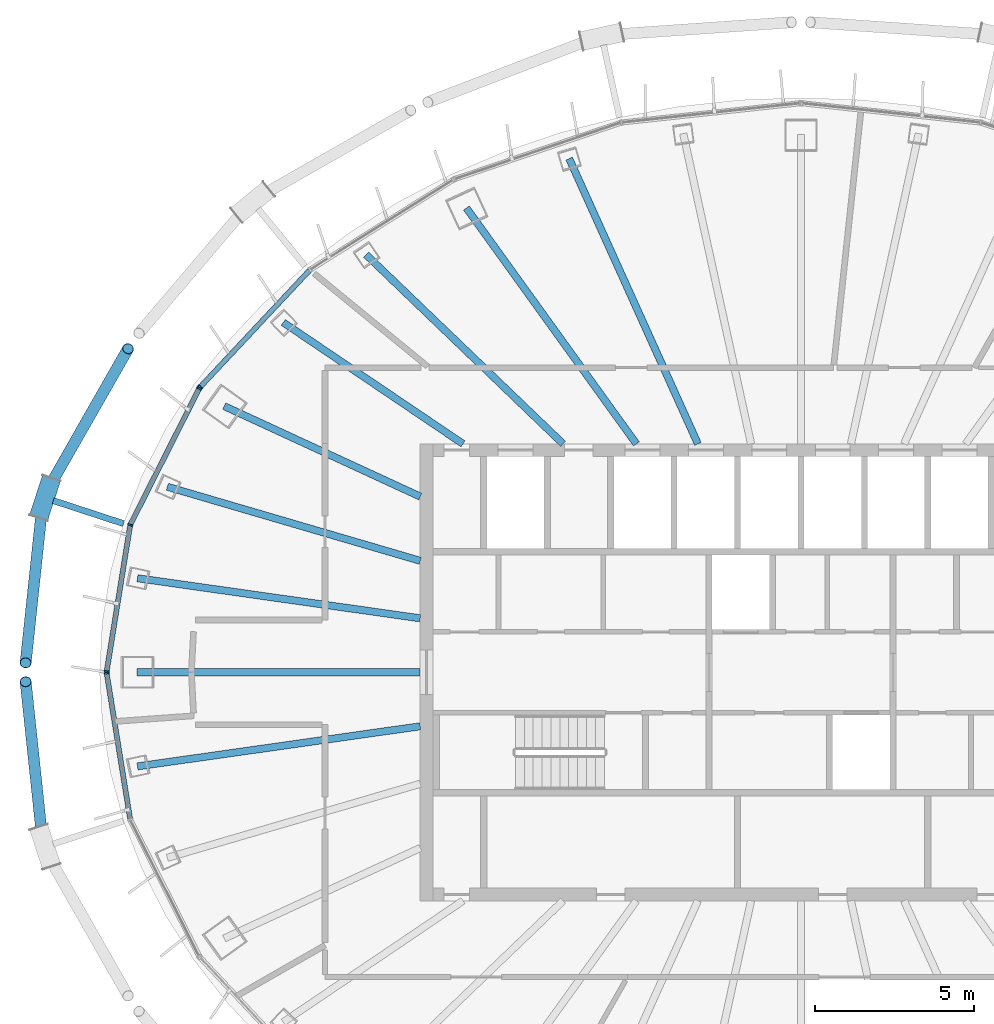
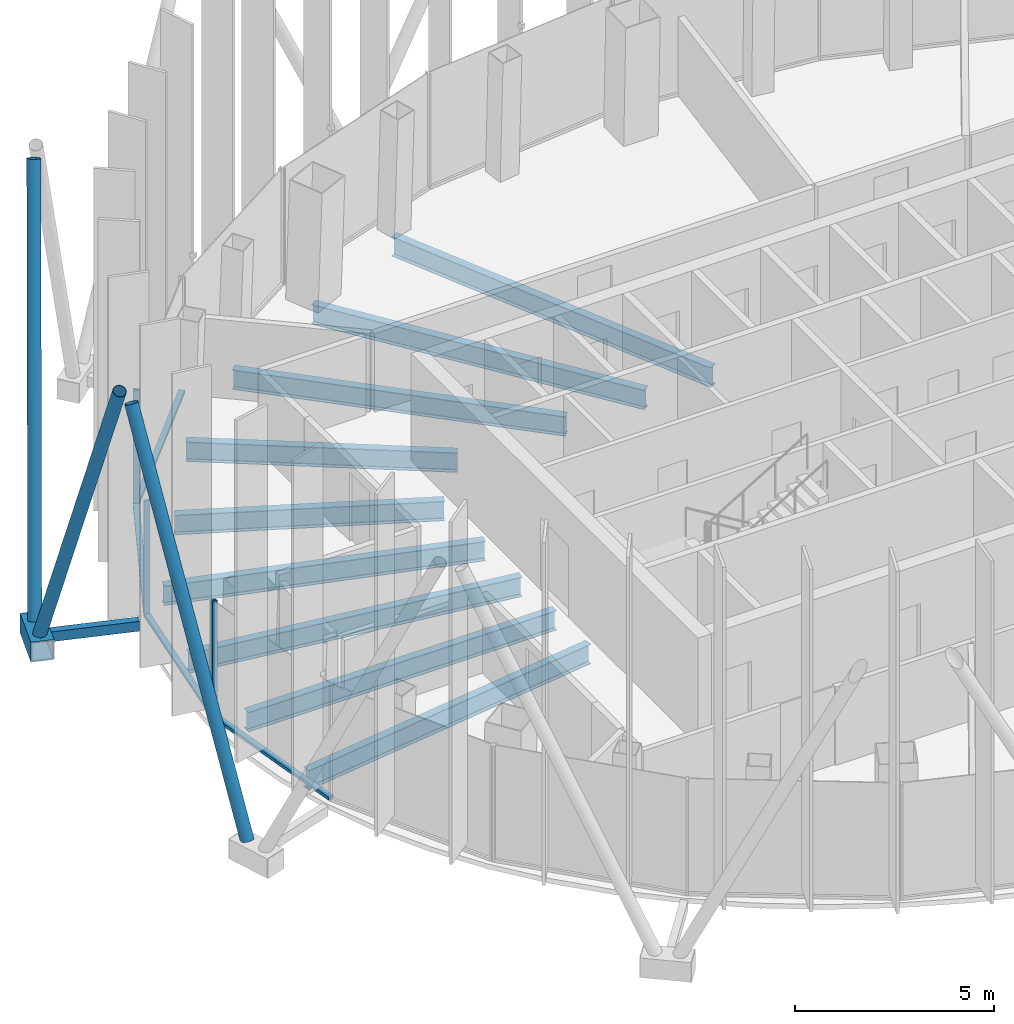
# One storey, part 4 of 19: 14 members, 9 beams, 3 elements without a shape of their own.
"""IFC4 building model written with IfcOpenShell, lengths in metres."""

from ifc_helpers import new_model, si_unit, direction, frame, origin, origin_2d, place, context, subcontext, project, spatial, rectangle, hollow_rectangle, hollow_circle, i_section, extrude, material, layer, layer_set, material_profile, profile_set, type_object, element, aggregate, save


model = new_model("IFC4")

# Units and contexts
model_context = context("Model", 3, precision=1e-05, world=origin(), true_north=direction((0.0, 1.0)))
body_context = subcontext(model_context, "Body", "Model", "MODEL_VIEW")
ifc_project = project(units=[si_unit("LENGTHUNIT", "METRE"), si_unit("AREAUNIT", "SQUARE_METRE"), si_unit("VOLUMEUNIT", "CUBIC_METRE"), si_unit("PLANEANGLEUNIT", "RADIAN"), si_unit("MASSUNIT", "GRAM", prefix="KILO")], contexts=[model_context])

# Site, building, storey
site_placement = place(None, origin())
site = spatial("IfcSite", under=ifc_project, at=site_placement, CompositionType="ELEMENT")
building_placement = place(site_placement, origin())
building = spatial("IfcBuilding", under=site, at=building_placement, Name="Siaravel Broadcast Tower", CompositionType="ELEMENT")
storey_placement = place(building_placement, frame((0.0, 0.0, 217.10009765625)))
storey = spatial("IfcBuildingStorey", under=building, at=storey_placement, Name="L52", CompositionType="ELEMENT", Elevation=217.10009765625)

# Beams
ifc_material_1 = material(Name="Steel S355", Category="steel")
ifc_material_profile_1 = material_profile(ifc_material_1, i_section(OverallWidth=0.2275390625, OverallDepth=0.6025390625, WebThickness=0.010498046875, FlangeThickness=0.014892578125, FilletRadius=0.0126953125, at=origin_2d()))
ifc_profile_set_1 = profile_set([ifc_material_profile_1], Name="Steel S355")
beam_type = type_object("IfcBeamType", Name="BM-UB 610x229x101", PredefinedType="BEAM", material=ifc_profile_set_1)
beam_1_placement = place(storey_placement, frame((-7.3056640625, 16.188720703125, -0.451416015625), z_axis=(0.411330004, -0.911486493, 0.0), x_axis=(0.911486493, 0.411330004, 0.0)))
element("IfcBeam", 1, at=beam_1_placement, inside=storey, type_object=beam_type, Name="Radial beam RB12", PredefinedType="BEAM", context=body_context, shape_type="SweptSolid", body=[
    extrude(i_section(OverallWidth=0.2275390625, OverallDepth=0.6025390625, WebThickness=0.010498046875, FlangeThickness=0.014892578125, FilletRadius=0.0126953125, at=origin_2d()), origin(), (0.0, 0.0, 1.0), 9.861572265625),
])
beam_2_placement = place(storey_placement, frame((-10.5439453125, 14.6318359375, -0.451416015625), z_axis=(0.584629048, -0.811300731, 0.0), x_axis=(0.811300731, 0.584629048, 0.0)))
element("IfcBeam", 2, at=beam_2_placement, inside=storey, type_object=beam_type, Name="Radial beam RB13", PredefinedType="BEAM", context=body_context, shape_type="SweptSolid", body=[
    extrude(i_section(OverallWidth=0.2275390625, OverallDepth=0.6025390625, WebThickness=0.010498046875, FlangeThickness=0.014892578125, FilletRadius=0.0126953125, at=origin_2d()), origin(), (0.0, 0.0, 1.0), 9.160400390625),
])
beam_3_placement = place(storey_placement, frame((-13.706298828125, 13.162841796875, -0.451416015625), z_axis=(0.721255826, -0.692668776, 0.0), x_axis=(0.692668776, 0.721255826, 0.0)))
element("IfcBeam", 3, at=beam_3_placement, inside=storey, type_object=beam_type, Name="Radial beam RB14", PredefinedType="BEAM", context=body_context, shape_type="SweptSolid", body=[
    extrude(i_section(OverallWidth=0.2275390625, OverallDepth=0.6025390625, WebThickness=0.010498046875, FlangeThickness=0.014892578125, FilletRadius=0.0126953125, at=origin_2d()), origin(), (0.0, 0.0, 1.0), 8.608642578125),
])
beam_4_placement = place(storey_placement, frame((-16.31591796875, 11.02587890625, -0.451416015625), z_axis=(0.828554475, -0.559908459, 0.0), x_axis=(0.559908459, 0.828554475, 0.0)))
element("IfcBeam", 4, at=beam_4_placement, inside=storey, type_object=beam_type, Name="Radial beam RB15", PredefinedType="BEAM", context=body_context, shape_type="SweptSolid", body=[
    extrude(i_section(OverallWidth=0.2275390625, OverallDepth=0.6025390625, WebThickness=0.010498046875, FlangeThickness=0.014892578125, FilletRadius=0.0126953125, at=origin_2d()), origin(), (0.0, 0.0, 1.0), 6.833251953125),
])
beam_5_placement = place(storey_placement, frame((-18.177978515625, 8.38818359375, -0.451416015625), z_axis=(0.907989838, -0.418992189, 0.0), x_axis=(0.418992189, 0.907989838, 0.0)))
element("IfcBeam", 5, at=beam_5_placement, inside=storey, type_object=beam_type, Name="Radial beam RB16", PredefinedType="BEAM", context=body_context, shape_type="SweptSolid", body=[
    extrude(i_section(OverallWidth=0.2275390625, OverallDepth=0.6025390625, WebThickness=0.010498046875, FlangeThickness=0.014892578125, FilletRadius=0.0126953125, at=origin_2d()), origin(), (0.0, 0.0, 1.0), 6.803955078125),
])
beam_6_placement = place(storey_placement, frame((-19.96875, 5.846435546875, -0.451416015625), z_axis=(0.959707048, -0.281002459, 0.0), x_axis=(0.281002459, 0.959707048, 0.0)))
element("IfcBeam", 6, at=beam_6_placement, inside=storey, type_object=beam_type, Name="Radial beam RB17", PredefinedType="BEAM", context=body_context, shape_type="SweptSolid", body=[
    extrude(i_section(OverallWidth=0.2275390625, OverallDepth=0.6025390625, WebThickness=0.010498046875, FlangeThickness=0.014892578125, FilletRadius=0.0126953125, at=origin_2d()), origin(), (0.0, 0.0, 1.0), 8.30322265625),
])
beam_7_placement = place(storey_placement, frame((-20.91162109375, 2.96484375, -0.451416015625), z_axis=(0.990099205, -0.140369388, 0.0), x_axis=(0.140369388, 0.990099205, 0.0)))
element("IfcBeam", 7, at=beam_7_placement, inside=storey, type_object=beam_type, Name="Radial beam RB18", PredefinedType="BEAM", context=body_context, shape_type="SweptSolid", body=[
    extrude(i_section(OverallWidth=0.2275390625, OverallDepth=0.6025390625, WebThickness=0.010498046875, FlangeThickness=0.014892578125, FilletRadius=0.0126953125, at=origin_2d()), origin(), (0.0, 0.0, 1.0), 9.000732421875),
])
beam_8_placement = place(storey_placement, frame((-20.92822265625, 0.0, -0.451416015625), z_axis=(1.0, 0.0, 0.0), x_axis=(0.0, 1.0, 0.0)))
element("IfcBeam", 8, at=beam_8_placement, inside=storey, type_object=beam_type, Name="Radial beam RB19", PredefinedType="BEAM", context=body_context, shape_type="SweptSolid", body=[
    extrude(i_section(OverallWidth=0.2275390625, OverallDepth=0.6025390625, WebThickness=0.010498046875, FlangeThickness=0.014892578125, FilletRadius=0.0126953125, at=origin_2d()), origin(), (0.0, 0.0, 1.0), 8.92822265625),
])
beam_9_placement = place(storey_placement, frame((-20.91162109375, -2.96484375, -0.451416015625), z_axis=(0.990099205, 0.140369388, 0.0), x_axis=(-0.140369388, 0.990099205, 0.0)))
element("IfcBeam", 9, at=beam_9_placement, inside=storey, type_object=beam_type, Name="Radial beam RB20", PredefinedType="BEAM", context=body_context, shape_type="SweptSolid", body=[
    extrude(i_section(OverallWidth=0.2275390625, OverallDepth=0.6025390625, WebThickness=0.010498046875, FlangeThickness=0.014892578125, FilletRadius=0.0126953125, at=origin_2d()), origin(), (0.0, 0.0, 1.0), 9.000732421875),
])

# Curtain wall, member
ifc_material_2 = material(Name="Aluminium 6063-T6", Category="aluminium")
ifc_layer = layer(ifc_material_2, 0.159912109375)
ifc_layer_set = layer_set([ifc_layer], Name="Aluminium 6063-T6")
curtain_wall_type = type_object("IfcCurtainWallType", Name="Unitised curtain wall, zone 4", PredefinedType="NOTDEFINED", material=ifc_layer_set)
curtain_wall_1_placement = place(storey_placement, origin())
curtain_wall_1 = element("IfcCurtainWall", 10, at=curtain_wall_1_placement, inside=storey, type_object=curtain_wall_type, Name="L52 Unitised curtain wall, zone 4 05", PredefinedType="NOTDEFINED")
ifc_material_profile_2 = material_profile(ifc_material_2, rectangle(XDim=0.159912109375, YDim=0.054931640625, at=origin_2d()))
ifc_profile_set_2 = profile_set([ifc_material_profile_2], Name="Aluminium 6063-T6")
member_type_1 = type_object("IfcMemberType", Name="CW-Z4 mullion", PredefinedType="MULLION", material=ifc_profile_set_2)
member_1_placement = place(storey_placement, frame((-18.932861328125, 8.991943359375, 0.0), z_axis=(0.0, 0.0, 1.0), x_axis=(0.729806178, -0.68365411, 0.0)))
member_1 = element("IfcMember", 11, at=member_1_placement, type_object=member_type_1, Name="CW-Z4 mullion 3", PredefinedType="MULLION", context=body_context, shape_type="SweptSolid", body=[
    extrude(rectangle(XDim=0.159912109375, YDim=0.054931640625, at=origin_2d()), origin(), (0.0, 0.0, 1.0), 3.5498046875),
])

# Curtain wall, members
curtain_wall_2_placement = place(storey_placement, origin())
curtain_wall_2 = element("IfcCurtainWall", 12, at=curtain_wall_2_placement, inside=storey, type_object=curtain_wall_type, Name="L52 Unitised curtain wall, zone 4 06", PredefinedType="NOTDEFINED")
member_2_placement = place(storey_placement, frame((-18.964111328125, 8.947509765625, 0.0), z_axis=(0.0, 0.0, 1.0), x_axis=(0.892392673, -0.451259701, 0.0)))
member_2 = element("IfcMember", 13, at=member_2_placement, type_object=member_type_1, Name="CW-Z4 mullion 1", PredefinedType="MULLION", context=body_context, shape_type="SweptSolid", body=[
    extrude(rectangle(XDim=0.159912109375, YDim=0.054931640625, at=origin_2d()), origin(), (0.0, 0.0, 1.0), 3.5498046875),
])
member_3_placement = place(storey_placement, frame((-21.1396484375, 4.64501953125, 0.0), z_axis=(0.0, 0.0, 1.0), x_axis=(0.951177504, -0.308644385, 0.0)))
member_3 = element("IfcMember", 14, at=member_3_placement, type_object=member_type_1, Name="CW-Z4 mullion 2", PredefinedType="MULLION", context=body_context, shape_type="SweptSolid", body=[
    extrude(rectangle(XDim=0.159912109375, YDim=0.054931640625, at=origin_2d()), origin(), (0.0, 0.0, 1.0), 3.5498046875),
])
member_4_placement = place(storey_placement, frame((-21.8818359375, 0.027099609375, 0.0), z_axis=(0.0, 0.0, 1.0), x_axis=(0.987329271, -0.158684943, 0.0)))
member_4 = element("IfcMember", 15, at=member_4_placement, type_object=member_type_1, Name="CW-Z4 mullion 3", PredefinedType="MULLION", context=body_context, shape_type="SweptSolid", body=[
    extrude(rectangle(XDim=0.159912109375, YDim=0.054931640625, at=origin_2d()), origin(), (0.0, 0.0, 1.0), 3.5498046875),
])

# Curtain wall, member
curtain_wall_3_placement = place(storey_placement, origin())
curtain_wall_3 = element("IfcCurtainWall", 16, at=curtain_wall_3_placement, inside=storey, type_object=curtain_wall_type, Name="L52 Unitised curtain wall, zone 4 07", PredefinedType="NOTDEFINED")
member_5_placement = place(storey_placement, frame((-21.8818359375, -0.027099609375, 0.0), z_axis=(0.0, 0.0, 1.0), x_axis=(0.987329271, 0.158684943, 0.0)))
member_5 = element("IfcMember", 17, at=member_5_placement, type_object=member_type_1, Name="CW-Z4 mullion 1", PredefinedType="MULLION", context=body_context, shape_type="SweptSolid", body=[
    extrude(rectangle(XDim=0.159912109375, YDim=0.054931640625, at=origin_2d()), origin(), (0.0, 0.0, 1.0), 3.5498046875),
])

# Member
ifc_material_profile_3 = material_profile(ifc_material_2, rectangle(XDim=0.159912109375, YDim=0.090087890625, at=origin_2d()))
ifc_profile_set_3 = profile_set([ifc_material_profile_3], Name="Aluminium 6063-T6")
member_type_2 = type_object("IfcMemberType", Name="CW-Z4 transom", PredefinedType="USERDEFINED", material=ifc_profile_set_3)
member_6_placement = place(storey_placement, frame((-15.490966796875, 12.666015625, 0.044921875), z_axis=(-0.683691298, -0.72977134, 0.0), x_axis=(0.72977134, -0.683691298, 0.0)))
member_6 = element("IfcMember", 18, at=member_6_placement, type_object=member_type_2, Name="CW-Z4 transom 2", ObjectType="TRANSOM", PredefinedType="USERDEFINED", context=body_context, shape_type="SweptSolid", body=[
    extrude(rectangle(XDim=0.159912109375, YDim=0.090087890625, at=origin_2d()), origin(), (0.0, 0.0, 1.0), 5.0068359375),
])

aggregate(curtain_wall_1, [member_1, member_6])

member_7_placement = place(storey_placement, frame((-18.976318359375, 8.9228515625, 0.044921875), z_axis=(-0.451265777, -0.8923896, 0.0), x_axis=(0.8923896, -0.451265777, 0.0)))
member_7 = element("IfcMember", 19, at=member_7_placement, type_object=member_type_2, Name="CW-Z4 transom 1", ObjectType="TRANSOM", PredefinedType="USERDEFINED", context=body_context, shape_type="SweptSolid", body=[
    extrude(rectangle(XDim=0.159912109375, YDim=0.090087890625, at=origin_2d()), origin(), (0.0, 0.0, 1.0), 4.766357421875),
])

member_8_placement = place(storey_placement, frame((-21.14404296875, 4.61767578125, 0.044921875), z_axis=(-0.158674417, -0.987330962, 0.0), x_axis=(0.987330962, -0.158674417, 0.0)))
member_8 = element("IfcMember", 20, at=member_8_placement, type_object=member_type_2, Name="CW-Z4 transom 2", ObjectType="TRANSOM", PredefinedType="USERDEFINED", context=body_context, shape_type="SweptSolid", body=[
    extrude(rectangle(XDim=0.159912109375, YDim=0.090087890625, at=origin_2d()), origin(), (0.0, 0.0, 1.0), 4.6220703125),
])

aggregate(curtain_wall_2, [member_2, member_3, member_4, member_7, member_8])

member_9_placement = place(storey_placement, frame((-21.87744140625, -0.05419921875, 0.044921875), z_axis=(0.158674417, -0.987330962, 0.0), x_axis=(0.987330962, 0.158674417, 0.0)))
member_9 = element("IfcMember", 21, at=member_9_placement, type_object=member_type_2, Name="CW-Z4 transom 1", ObjectType="TRANSOM", PredefinedType="USERDEFINED", context=body_context, shape_type="SweptSolid", body=[
    extrude(rectangle(XDim=0.159912109375, YDim=0.090087890625, at=origin_2d()), origin(), (0.0, 0.0, 1.0), 4.6220703125),
])

aggregate(curtain_wall_3, [member_5, member_9])

# Members
ifc_material_3 = material(Name="Steel S460", Category="steel")
ifc_material_profile_4 = material_profile(ifc_material_3, hollow_circle(Radius=0.177734375, WallThickness=0.012451171875, at=origin_2d()))
ifc_profile_set_4 = profile_set([ifc_material_profile_4], Name="Steel S460")
member_type_3 = type_object("IfcMemberType", Name="Diagrid diagonal CHS 355.6x12.5", PredefinedType="BRACE", material=ifc_profile_set_4)
member_10_placement = place(storey_placement, frame((-23.732177734375, 5.77587890625, 0.06982421875), z_axis=(0.214611161, 0.375849568, 0.901487189), x_axis=(-0.868402365, 0.495860195, 0.0)))
element("IfcMember", 22, at=member_10_placement, inside=storey, type_object=member_type_3, Name="Diagrid diagonal R22 station 33C", PredefinedType="BRACE", context=body_context, shape_type="SweptSolid", body=[
    extrude(hollow_circle(Radius=0.177734375, WallThickness=0.012451171875, at=origin_2d()), origin(), (0.0, 0.0, 1.0), 11.76953125),
])
for number, where, z_axis, x_axis, name in (
    (23, (-23.916015625, 5.214111328125, 0.06982421875), (-0.044443242, -0.420156524, 0.906362672), (0.99445204, -0.105190971, 0.0), "Diagrid diagonal R22 station 33A"),
    (24, (-23.916015625, -5.214111328125, 0.06982421875), (-0.044443242, 0.420156524, 0.906362672), (-0.99445204, -0.105190971, 0.0), "Diagrid diagonal R22 station 39C"),
):
    element("IfcMember", number, at=place(storey_placement, frame(where, z_axis=z_axis, x_axis=x_axis)), inside=storey, type_object=member_type_3, Name=name, PredefinedType="BRACE", context=body_context, shape_type="SweptSolid", body=[
        extrude(hollow_circle(Radius=0.177734375, WallThickness=0.012451171875, at=origin_2d()), origin(), (0.0, 0.0, 1.0), 11.706298828125),
    ])
ifc_material_profile_5 = material_profile(ifc_material_3, hollow_rectangle(XDim=0.60009765625, YDim=0.60009765625, WallThickness=0.031982421875, at=origin_2d()))
ifc_profile_set_5 = profile_set([ifc_material_profile_5], Name="Steel S460")
member_type_4 = type_object("IfcMemberType", Name="Diagrid node BOX 600x600x32", PredefinedType="USERDEFINED", material=ifc_profile_set_5)
member_11_placement = place(storey_placement, frame((-23.623046875, 6.109619140625, -0.2001953125), z_axis=(-0.310843783, -0.950461016, 0.0), x_axis=(0.950461016, -0.310843783, 0.0)))
element("IfcMember", 25, at=member_11_placement, inside=storey, type_object=member_type_4, Name="Diagrid node R22 station 33", ObjectType="DIAGRID NODE", PredefinedType="USERDEFINED", context=body_context, shape_type="SweptSolid", body=[
    extrude(hollow_rectangle(XDim=0.60009765625, YDim=0.60009765625, WallThickness=0.031982421875, at=origin_2d()), origin(), (0.0, 0.0, 1.0), 1.29345703125),
])
ifc_material_profile_6 = material_profile(ifc_material_3, hollow_rectangle(XDim=0.199951171875, YDim=0.300048828125, WallThickness=0.012451171875, at=origin_2d()))
ifc_profile_set_6 = profile_set([ifc_material_profile_6], Name="Steel S460")
member_type_5 = type_object("IfcMemberType", Name="Diagrid node arm RHS 300x200x12.5", PredefinedType="STRUT", material=ifc_profile_set_6)
member_12_placement = place(storey_placement, frame((-21.352783203125, 4.6865234375, -0.2001953125), z_axis=(-0.950449489, 0.310879025, 0.0), x_axis=(-0.310879025, -0.950449489, 0.0)))
element("IfcMember", 26, at=member_12_placement, inside=storey, type_object=member_type_5, Name="Node arm R22 station 33", PredefinedType="STRUT", context=body_context, shape_type="SweptSolid", body=[
    extrude(hollow_rectangle(XDim=0.199951171875, YDim=0.300048828125, WallThickness=0.012451171875, at=origin_2d()), origin(), (0.0, 0.0, 1.0), 2.330078125),
])

save(model, "model.ifc")
